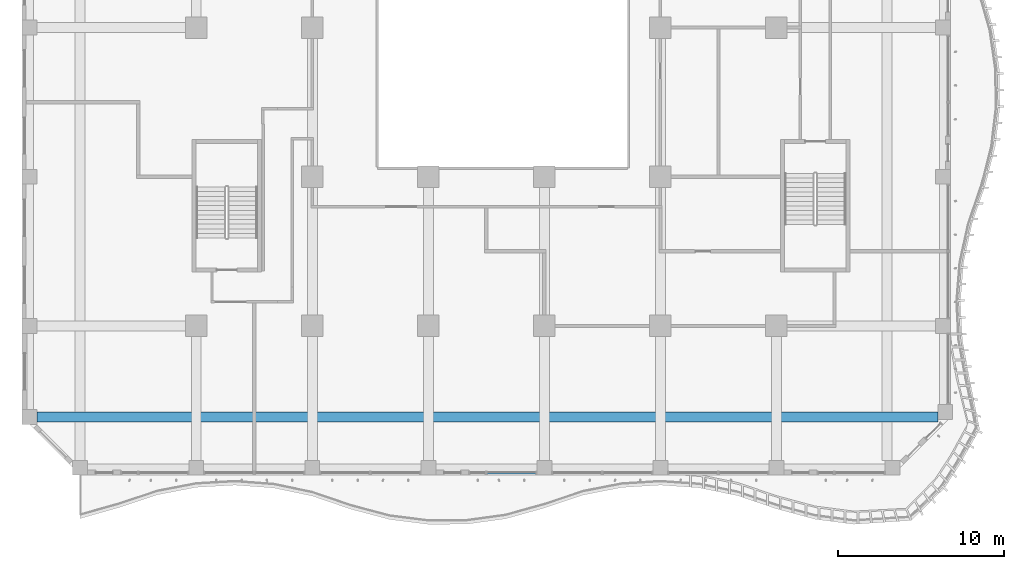
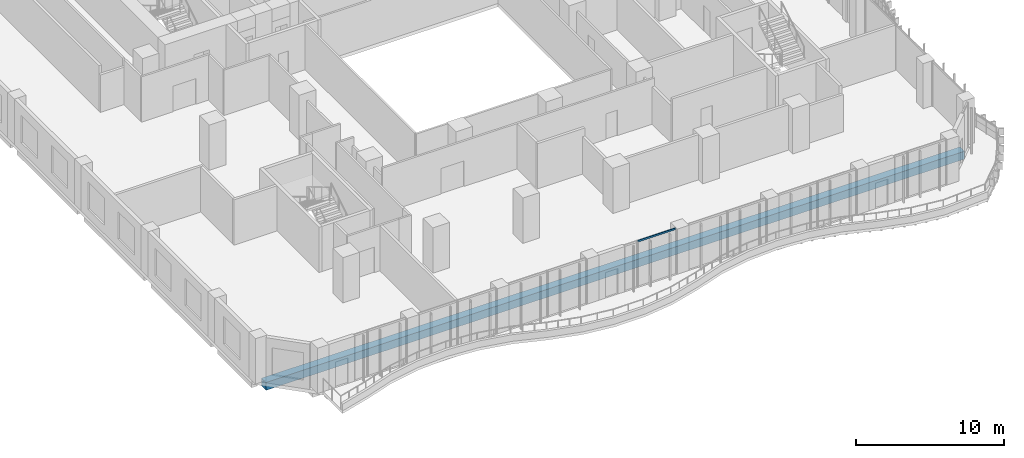
# One storey, part 3 of 26: 1 beam, 1 member, 1 element without a shape of its own.
"""IFC4 building model written with IfcOpenShell, lengths in metres."""

from ifc_helpers import new_model, si_unit, direction, frame, origin, origin_2d, place, context, subcontext, project, spatial, rectangle, extrude, source, transform, mapped, material, material_profile, profile_set, type_object, element, aggregate, save


model = new_model("IFC4")

# Units and contexts
model_context = context("Model", 3, precision=1e-05, world=origin(), true_north=direction((0.0, 1.0)))
body_context = subcontext(model_context, "Body", "Model", "MODEL_VIEW")
ifc_project = project(units=[si_unit("LENGTHUNIT", "METRE"), si_unit("AREAUNIT", "SQUARE_METRE"), si_unit("VOLUMEUNIT", "CUBIC_METRE"), si_unit("PLANEANGLEUNIT", "RADIAN"), si_unit("MASSUNIT", "GRAM", prefix="KILO")], contexts=[model_context])

# Site, building, storey
site_placement = place(None, origin())
site = spatial("IfcSite", under=ifc_project, at=site_placement, CompositionType="ELEMENT")
building_placement = place(site_placement, origin())
building = spatial("IfcBuilding", under=site, at=building_placement, Name="Kilnfold Tower and Market Hall", CompositionType="ELEMENT")
storey_placement = place(building_placement, frame((0.0, 0.0, 31.0)))
storey = spatial("IfcBuildingStorey", under=building, at=storey_placement, Name="L06", CompositionType="ELEMENT", Elevation=31.0)

# Beam
ifc_material_1 = material(Name="Concrete C45", Category="concrete")
ifc_material_profile_1 = material_profile(ifc_material_1, rectangle(XDim=0.60009765625, YDim=0.64990234375, at=origin_2d()), Name="RC 600x650")
ifc_profile_set_1 = profile_set([ifc_material_profile_1], Name="Concrete C45")
beam_type = type_object("IfcBeamType", Name="BEAM 600X650 C45", PredefinedType="BEAM", material=ifc_profile_set_1)
shared_shape_1 = source(origin(), body_context, "Body", "SweptSolid", [
    extrude(rectangle(XDim=0.60009765625, YDim=0.64990234375, at=origin_2d()), origin(), (0.0, 0.0, 1.0), 54.331787109375),
])
beam_placement = place(storey_placement, frame((-27.10009765625, -24.5, -0.60498046875), z_axis=(1.0, 0.0, 0.0), x_axis=(0.0, 1.0, 0.0)))
element("IfcBeam", 1, at=beam_placement, inside=storey, type_object=beam_type, Name="Beam BB650-B1.55", PredefinedType="BEAM", context=body_context, shape_type="MappedRepresentation", body=[
    mapped(shared_shape_1, transform((0.0, 0.0, 0.0))),
])

# Curtain wall, member
ifc_material_2 = material(Name="Aluminium and double glazing", Category="aluminium")
curtain_wall_type = type_object("IfcCurtainWallType", Name="CW OF1 VALLEY GLAZING", PredefinedType="NOTDEFINED", material=ifc_material_2)
curtain_wall_placement = place(storey_placement, origin())
curtain_wall = element("IfcCurtainWall", 2, at=curtain_wall_placement, inside=storey, type_object=curtain_wall_type, Name="Curtain wall CW1 L06 S", PredefinedType="NOTDEFINED")
ifc_material_3 = material(Name="Aluminium", Category="aluminium")
ifc_material_profile_2 = material_profile(ifc_material_3, rectangle(XDim=0.06005859375, YDim=0.139892578125, at=origin_2d()), Name="TRANSOM 60x140")
ifc_profile_set_2 = profile_set([ifc_material_profile_2], Name="Aluminium")
member_type = type_object("IfcMemberType", Name="TRANSOM 60X140", PredefinedType="USERDEFINED", material=ifc_profile_set_2)
shared_shape_2 = source(origin(), body_context, "Body", "SweptSolid", [
    extrude(rectangle(XDim=0.06005859375, YDim=0.139892578125, at=origin_2d()), origin(), (0.0, 0.0, 1.0), 2.929931640625),
])
member_placement = place(storey_placement, frame((0.06005859375, -27.85009765625, 3.68994140625), z_axis=(1.0, 0.0, 0.0), x_axis=(0.0, 1.0, 0.0)))
member = element("IfcMember", 3, at=member_placement, type_object=member_type, Name="CW1 transom 1.2", ObjectType="TRANSOM", PredefinedType="USERDEFINED", context=body_context, shape_type="MappedRepresentation", body=[
    mapped(shared_shape_2, transform((0.0, 0.0, 0.0))),
])
aggregate(curtain_wall, [member])

save(model, "model.ifc")
